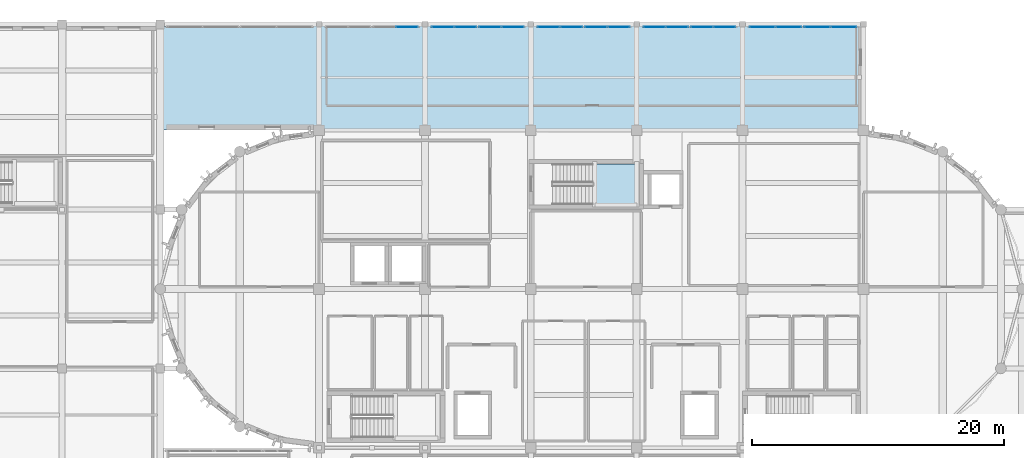
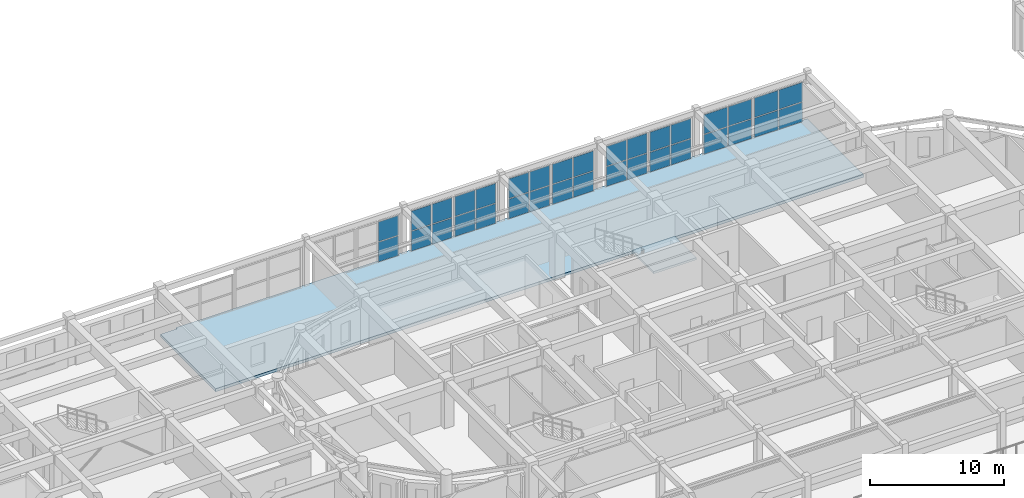
# One storey, part 60 of 92: 34 plates, 2 slabs, 10 elements without a shape of their own.
"""IFC4 building model written with IfcOpenShell, lengths in metres."""

from ifc_helpers import new_model, si_unit, direction, frame, origin, origin_2d, place, context, subcontext, project, spatial, polyline, rectangle, outline, extrude, material, layer, layer_set, type_object, element, aggregate, save


model = new_model("IFC4")

# Units and contexts
model_context = context("Model", 3, precision=1e-05, world=origin(), true_north=direction((0.0, 1.0)))
body_context = subcontext(model_context, "Body", "Model", "MODEL_VIEW")
ifc_project = project(units=[si_unit("LENGTHUNIT", "METRE"), si_unit("AREAUNIT", "SQUARE_METRE"), si_unit("VOLUMEUNIT", "CUBIC_METRE"), si_unit("PLANEANGLEUNIT", "RADIAN"), si_unit("MASSUNIT", "GRAM", prefix="KILO")], contexts=[model_context])

# Site, building, storey
site_placement = place(None, origin())
site = spatial("IfcSite", under=ifc_project, at=site_placement, CompositionType="ELEMENT")
building_placement = place(site_placement, origin())
building = spatial("IfcBuilding", under=site, at=building_placement, Name="Tarnavel Promenade Courthouse", CompositionType="ELEMENT")
storey_placement = place(building_placement, frame((0.0, 0.0, 5.39990234375)))
storey = spatial("IfcBuildingStorey", under=building, at=storey_placement, Name="L02", CompositionType="ELEMENT", Elevation=5.39990234375)

# Stair, slab
ifc_material_1 = material(Name="Concrete C35/45", Category="concrete")
stair_type = type_object("IfcStairType", Name="Concrete C35/45 Half-Turn Stair STR-06 (1520W-290G-24R)", PredefinedType="HALF_TURN_STAIR", material=ifc_material_1)
stair_placement = place(storey_placement, origin())
stair = element("IfcStair", 1, at=stair_placement, inside=storey, type_object=stair_type, Name="L02 Central Judicial Chambers Exit Stair", PredefinedType="HALF_TURN_STAIR")
ifc_layer_1 = layer(ifc_material_1, 0.205078125)
ifc_layer_set_1 = layer_set([ifc_layer_1], Name="Concrete C35/45")
slab_type_1 = type_object("IfcSlabType", Name="Concrete C35/45 Stair Landing SLB-LND-205 (205 mm)", PredefinedType="LANDING", material=ifc_layer_set_1)
slab_1_placement = place(storey_placement, frame((0.0, 0.0, 2.050048828125)))
slab_1 = element("IfcSlab", 2, at=slab_1_placement, type_object=slab_type_1, Name="ST-03 landing 1", PredefinedType="LANDING", context=body_context, shape_type="SweptSolid", body=[
    extrude(outline(polyline([(80.510009765625, 98.5), (84.199951171875, 98.5), (84.199951171875, 101.739990234375), (80.510009765625, 101.739990234375), (80.510009765625, 98.5)])), origin(), (0.0, 0.0, 1.0), 0.199951171875),
])
aggregate(stair, [slab_1])

# Slab
ifc_material_2 = material(Name="Concrete C40/50", Category="concrete")
ifc_layer_2 = layer(ifc_material_2, 0.260009765625)
ifc_layer_set_2 = layer_set([ifc_layer_2], Name="Concrete C40/50")
slab_type_2 = type_object("IfcSlabType", Name="Concrete C40/50 SLB-PT-260 (260 mm)", PredefinedType="FLOOR", material=ifc_layer_set_2)
slab_2_placement = place(storey_placement, frame((0.0, 0.0, -0.260009765625)))
element("IfcSlab", 3, at=slab_2_placement, inside=storey, type_object=slab_type_2, Name="L02 North Civic Entrance Foyer Slab", PredefinedType="FLOOR", context=body_context, shape_type="SweptSolid", body=[
    extrude(outline(polyline([(46.219970703125, 104.419921875), (102.0, 104.419921875), (102.0, 112.800048828125), (47.6201171875, 112.800048828125), (47.6201171875, 112.639892578125), (46.219970703125, 112.639892578125), (46.219970703125, 104.419921875)])), origin(), (0.0, 0.0, 1.0), 0.260009765625),
])

# Curtain wall, plates
ifc_material_3 = material(Name="Thermally Broken Anodised Aluminium Curtain Wall System", Category="aluminium")
ifc_layer_3 = layer(ifc_material_3, 0.199951171875)
ifc_layer_set_3 = layer_set([ifc_layer_3], Name="Thermally Broken Anodised Aluminium Curtain Wall System")
curtain_wall_type = type_object("IfcCurtainWallType", Name="Thermally Broken Aluminium Triple-Glazed Curtain Wall CW-FOYER", PredefinedType="NOTDEFINED", material=ifc_layer_set_3)
curtain_wall_1_placement = place(storey_placement, origin())
curtain_wall_1 = element("IfcCurtainWall", 4, at=curtain_wall_1_placement, inside=storey, type_object=curtain_wall_type, Name="L02 North Foyer Curtain Wall B 129", PredefinedType="NOTDEFINED")
ifc_material_4 = material(Name="Triple Low-E Argon Insulated Glazing", Category="glass")
ifc_layer_4 = layer(ifc_material_4, 0.048095703125)
ifc_layer_set_4 = layer_set([ifc_layer_4], Name="Triple Low-E Argon Insulated Glazing")
plate_type = type_object("IfcPlateType", Name="Triple Low-E Argon Insulated Glazing Unit CWP-48 (48 mm)", PredefinedType="CURTAIN_PANEL", material=ifc_layer_set_4)
plate_1_placement = place(storey_placement, frame((65.780029296875, 112.580078125, 0.0703125), z_axis=(0.0, 0.0, 1.0), x_axis=(1.0, 0.0, 0.0)))
plate_1 = element("IfcPlate", 5, at=plate_1_placement, type_object=plate_type, Name="CW-04 panel 2.1", PredefinedType="CURTAIN_PANEL", context=body_context, shape_type="SweptSolid", body=[
    extrude(rectangle(XDim=1.719970703125, YDim=0.048095703125, at=origin_2d()), origin(), (0.0, 0.0, 1.0), 1.780029296875),
])
plate_2_placement = place(storey_placement, frame((65.780029296875, 112.580078125, 1.919921875), z_axis=(0.0, 0.0, 1.0), x_axis=(1.0, 0.0, 0.0)))
plate_2 = element("IfcPlate", 6, at=plate_2_placement, type_object=plate_type, Name="CW-04 panel 2.2", PredefinedType="CURTAIN_PANEL", context=body_context, shape_type="SweptSolid", body=[
    extrude(rectangle(XDim=1.719970703125, YDim=0.048095703125, at=origin_2d()), origin(), (0.0, 0.0, 1.0), 1.780029296875),
])
aggregate(curtain_wall_1, [plate_1, plate_2])

curtain_wall_2_placement = place(storey_placement, origin())
curtain_wall_2 = element("IfcCurtainWall", 7, at=curtain_wall_2_placement, inside=storey, type_object=curtain_wall_type, Name="L02 North Foyer Curtain Wall A 130", PredefinedType="NOTDEFINED")
plate_3_placement = place(storey_placement, frame((68.6201171875, 112.580078125, 0.0703125), z_axis=(0.0, 0.0, 1.0), x_axis=(1.0, 0.0, 0.0)))
plate_3 = element("IfcPlate", 8, at=plate_3_placement, type_object=plate_type, Name="CW-04 panel 1.1", PredefinedType="CURTAIN_PANEL", context=body_context, shape_type="SweptSolid", body=[
    extrude(rectangle(XDim=1.719970703125, YDim=0.048095703125, at=origin_2d()), origin(), (0.0, 0.0, 1.0), 1.780029296875),
])
plate_4_placement = place(storey_placement, frame((68.6201171875, 112.580078125, 1.919921875), z_axis=(0.0, 0.0, 1.0), x_axis=(1.0, 0.0, 0.0)))
plate_4 = element("IfcPlate", 9, at=plate_4_placement, type_object=plate_type, Name="CW-04 panel 1.2", PredefinedType="CURTAIN_PANEL", context=body_context, shape_type="SweptSolid", body=[
    extrude(rectangle(XDim=1.719970703125, YDim=0.048095703125, at=origin_2d()), origin(), (0.0, 0.0, 1.0), 1.780029296875),
])
plate_5_placement = place(storey_placement, frame((70.419921875, 112.580078125, 0.0703125), z_axis=(0.0, 0.0, 1.0), x_axis=(1.0, 0.0, 0.0)))
plate_5 = element("IfcPlate", 10, at=plate_5_placement, type_object=plate_type, Name="CW-04 panel 2.1", PredefinedType="CURTAIN_PANEL", context=body_context, shape_type="SweptSolid", body=[
    extrude(rectangle(XDim=1.719970703125, YDim=0.048095703125, at=origin_2d()), origin(), (0.0, 0.0, 1.0), 1.780029296875),
])
plate_6_placement = place(storey_placement, frame((70.419921875, 112.580078125, 1.919921875), z_axis=(0.0, 0.0, 1.0), x_axis=(1.0, 0.0, 0.0)))
plate_6 = element("IfcPlate", 11, at=plate_6_placement, type_object=plate_type, Name="CW-04 panel 2.2", PredefinedType="CURTAIN_PANEL", context=body_context, shape_type="SweptSolid", body=[
    extrude(rectangle(XDim=1.719970703125, YDim=0.048095703125, at=origin_2d()), origin(), (0.0, 0.0, 1.0), 1.780029296875),
])
aggregate(curtain_wall_2, [plate_3, plate_4, plate_5, plate_6])

curtain_wall_3_placement = place(storey_placement, origin())
curtain_wall_3 = element("IfcCurtainWall", 12, at=curtain_wall_3_placement, inside=storey, type_object=curtain_wall_type, Name="L02 North Foyer Curtain Wall B 131", PredefinedType="NOTDEFINED")
plate_7_placement = place(storey_placement, frame((72.3798828125, 112.580078125, 0.0703125), z_axis=(0.0, 0.0, 1.0), x_axis=(1.0, 0.0, 0.0)))
plate_7 = element("IfcPlate", 13, at=plate_7_placement, type_object=plate_type, Name="CW-04 panel 1.1", PredefinedType="CURTAIN_PANEL", context=body_context, shape_type="SweptSolid", body=[
    extrude(rectangle(XDim=1.719970703125, YDim=0.048095703125, at=origin_2d()), origin(), (0.0, 0.0, 1.0), 1.780029296875),
])
plate_8_placement = place(storey_placement, frame((72.3798828125, 112.580078125, 1.919921875), z_axis=(0.0, 0.0, 1.0), x_axis=(1.0, 0.0, 0.0)))
plate_8 = element("IfcPlate", 14, at=plate_8_placement, type_object=plate_type, Name="CW-04 panel 1.2", PredefinedType="CURTAIN_PANEL", context=body_context, shape_type="SweptSolid", body=[
    extrude(rectangle(XDim=1.719970703125, YDim=0.048095703125, at=origin_2d()), origin(), (0.0, 0.0, 1.0), 1.780029296875),
])
plate_9_placement = place(storey_placement, frame((74.179931640625, 112.580078125, 0.0703125), z_axis=(0.0, 0.0, 1.0), x_axis=(1.0, 0.0, 0.0)))
plate_9 = element("IfcPlate", 15, at=plate_9_placement, type_object=plate_type, Name="CW-04 panel 2.1", PredefinedType="CURTAIN_PANEL", context=body_context, shape_type="SweptSolid", body=[
    extrude(rectangle(XDim=1.719970703125, YDim=0.048095703125, at=origin_2d()), origin(), (0.0, 0.0, 1.0), 1.780029296875),
])
plate_10_placement = place(storey_placement, frame((74.179931640625, 112.580078125, 1.919921875), z_axis=(0.0, 0.0, 1.0), x_axis=(1.0, 0.0, 0.0)))
plate_10 = element("IfcPlate", 16, at=plate_10_placement, type_object=plate_type, Name="CW-04 panel 2.2", PredefinedType="CURTAIN_PANEL", context=body_context, shape_type="SweptSolid", body=[
    extrude(rectangle(XDim=1.719970703125, YDim=0.048095703125, at=origin_2d()), origin(), (0.0, 0.0, 1.0), 1.780029296875),
])
aggregate(curtain_wall_3, [plate_7, plate_8, plate_9, plate_10])

curtain_wall_4_placement = place(storey_placement, origin())
curtain_wall_4 = element("IfcCurtainWall", 17, at=curtain_wall_4_placement, inside=storey, type_object=curtain_wall_type, Name="L02 North Foyer Curtain Wall A 132", PredefinedType="NOTDEFINED")
plate_11_placement = place(storey_placement, frame((77.02001953125, 112.580078125, 0.0703125), z_axis=(0.0, 0.0, 1.0), x_axis=(1.0, 0.0, 0.0)))
plate_11 = element("IfcPlate", 18, at=plate_11_placement, type_object=plate_type, Name="CW-04 panel 1.1", PredefinedType="CURTAIN_PANEL", context=body_context, shape_type="SweptSolid", body=[
    extrude(rectangle(XDim=1.719970703125, YDim=0.048095703125, at=origin_2d()), origin(), (0.0, 0.0, 1.0), 1.780029296875),
])
plate_12_placement = place(storey_placement, frame((77.02001953125, 112.580078125, 1.919921875), z_axis=(0.0, 0.0, 1.0), x_axis=(1.0, 0.0, 0.0)))
plate_12 = element("IfcPlate", 19, at=plate_12_placement, type_object=plate_type, Name="CW-04 panel 1.2", PredefinedType="CURTAIN_PANEL", context=body_context, shape_type="SweptSolid", body=[
    extrude(rectangle(XDim=1.719970703125, YDim=0.048095703125, at=origin_2d()), origin(), (0.0, 0.0, 1.0), 1.780029296875),
])
plate_13_placement = place(storey_placement, frame((78.820068359375, 112.580078125, 0.0703125), z_axis=(0.0, 0.0, 1.0), x_axis=(1.0, 0.0, 0.0)))
plate_13 = element("IfcPlate", 20, at=plate_13_placement, type_object=plate_type, Name="CW-04 panel 2.1", PredefinedType="CURTAIN_PANEL", context=body_context, shape_type="SweptSolid", body=[
    extrude(rectangle(XDim=1.719970703125, YDim=0.048095703125, at=origin_2d()), origin(), (0.0, 0.0, 1.0), 1.780029296875),
])
plate_14_placement = place(storey_placement, frame((78.820068359375, 112.580078125, 1.919921875), z_axis=(0.0, 0.0, 1.0), x_axis=(1.0, 0.0, 0.0)))
plate_14 = element("IfcPlate", 21, at=plate_14_placement, type_object=plate_type, Name="CW-04 panel 2.2", PredefinedType="CURTAIN_PANEL", context=body_context, shape_type="SweptSolid", body=[
    extrude(rectangle(XDim=1.719970703125, YDim=0.048095703125, at=origin_2d()), origin(), (0.0, 0.0, 1.0), 1.780029296875),
])
aggregate(curtain_wall_4, [plate_11, plate_12, plate_13, plate_14])

curtain_wall_5_placement = place(storey_placement, origin())
curtain_wall_5 = element("IfcCurtainWall", 22, at=curtain_wall_5_placement, inside=storey, type_object=curtain_wall_type, Name="L02 North Foyer Curtain Wall B 133", PredefinedType="NOTDEFINED")
plate_15_placement = place(storey_placement, frame((80.780029296875, 112.580078125, 0.0703125), z_axis=(0.0, 0.0, 1.0), x_axis=(1.0, 0.0, 0.0)))
plate_15 = element("IfcPlate", 23, at=plate_15_placement, type_object=plate_type, Name="CW-04 panel 1.1", PredefinedType="CURTAIN_PANEL", context=body_context, shape_type="SweptSolid", body=[
    extrude(rectangle(XDim=1.719970703125, YDim=0.048095703125, at=origin_2d()), origin(), (0.0, 0.0, 1.0), 1.780029296875),
])
plate_16_placement = place(storey_placement, frame((80.780029296875, 112.580078125, 1.919921875), z_axis=(0.0, 0.0, 1.0), x_axis=(1.0, 0.0, 0.0)))
plate_16 = element("IfcPlate", 24, at=plate_16_placement, type_object=plate_type, Name="CW-04 panel 1.2", PredefinedType="CURTAIN_PANEL", context=body_context, shape_type="SweptSolid", body=[
    extrude(rectangle(XDim=1.719970703125, YDim=0.048095703125, at=origin_2d()), origin(), (0.0, 0.0, 1.0), 1.780029296875),
])
plate_17_placement = place(storey_placement, frame((82.580078125, 112.580078125, 0.0703125), z_axis=(0.0, 0.0, 1.0), x_axis=(1.0, 0.0, 0.0)))
plate_17 = element("IfcPlate", 25, at=plate_17_placement, type_object=plate_type, Name="CW-04 panel 2.1", PredefinedType="CURTAIN_PANEL", context=body_context, shape_type="SweptSolid", body=[
    extrude(rectangle(XDim=1.719970703125, YDim=0.048095703125, at=origin_2d()), origin(), (0.0, 0.0, 1.0), 1.780029296875),
])
plate_18_placement = place(storey_placement, frame((82.580078125, 112.580078125, 1.919921875), z_axis=(0.0, 0.0, 1.0), x_axis=(1.0, 0.0, 0.0)))
plate_18 = element("IfcPlate", 26, at=plate_18_placement, type_object=plate_type, Name="CW-04 panel 2.2", PredefinedType="CURTAIN_PANEL", context=body_context, shape_type="SweptSolid", body=[
    extrude(rectangle(XDim=1.719970703125, YDim=0.048095703125, at=origin_2d()), origin(), (0.0, 0.0, 1.0), 1.780029296875),
])
aggregate(curtain_wall_5, [plate_15, plate_16, plate_17, plate_18])

curtain_wall_6_placement = place(storey_placement, origin())
curtain_wall_6 = element("IfcCurtainWall", 27, at=curtain_wall_6_placement, inside=storey, type_object=curtain_wall_type, Name="L02 North Foyer Curtain Wall A 134", PredefinedType="NOTDEFINED")
plate_19_placement = place(storey_placement, frame((85.419921875, 112.580078125, 0.0703125), z_axis=(0.0, 0.0, 1.0), x_axis=(1.0, 0.0, 0.0)))
plate_19 = element("IfcPlate", 28, at=plate_19_placement, type_object=plate_type, Name="CW-04 panel 1.1", PredefinedType="CURTAIN_PANEL", context=body_context, shape_type="SweptSolid", body=[
    extrude(rectangle(XDim=1.719970703125, YDim=0.048095703125, at=origin_2d()), origin(), (0.0, 0.0, 1.0), 1.780029296875),
])
plate_20_placement = place(storey_placement, frame((85.419921875, 112.580078125, 1.919921875), z_axis=(0.0, 0.0, 1.0), x_axis=(1.0, 0.0, 0.0)))
plate_20 = element("IfcPlate", 29, at=plate_20_placement, type_object=plate_type, Name="CW-04 panel 1.2", PredefinedType="CURTAIN_PANEL", context=body_context, shape_type="SweptSolid", body=[
    extrude(rectangle(XDim=1.719970703125, YDim=0.048095703125, at=origin_2d()), origin(), (0.0, 0.0, 1.0), 1.780029296875),
])
plate_21_placement = place(storey_placement, frame((87.219970703125, 112.580078125, 0.0703125), z_axis=(0.0, 0.0, 1.0), x_axis=(1.0, 0.0, 0.0)))
plate_21 = element("IfcPlate", 30, at=plate_21_placement, type_object=plate_type, Name="CW-04 panel 2.1", PredefinedType="CURTAIN_PANEL", context=body_context, shape_type="SweptSolid", body=[
    extrude(rectangle(XDim=1.719970703125, YDim=0.048095703125, at=origin_2d()), origin(), (0.0, 0.0, 1.0), 1.780029296875),
])
plate_22_placement = place(storey_placement, frame((87.219970703125, 112.580078125, 1.919921875), z_axis=(0.0, 0.0, 1.0), x_axis=(1.0, 0.0, 0.0)))
plate_22 = element("IfcPlate", 31, at=plate_22_placement, type_object=plate_type, Name="CW-04 panel 2.2", PredefinedType="CURTAIN_PANEL", context=body_context, shape_type="SweptSolid", body=[
    extrude(rectangle(XDim=1.719970703125, YDim=0.048095703125, at=origin_2d()), origin(), (0.0, 0.0, 1.0), 1.780029296875),
])
aggregate(curtain_wall_6, [plate_19, plate_20, plate_21, plate_22])

curtain_wall_7_placement = place(storey_placement, origin())
curtain_wall_7 = element("IfcCurtainWall", 32, at=curtain_wall_7_placement, inside=storey, type_object=curtain_wall_type, Name="L02 North Foyer Curtain Wall B 135", PredefinedType="NOTDEFINED")
plate_23_placement = place(storey_placement, frame((89.179931640625, 112.580078125, 0.0703125), z_axis=(0.0, 0.0, 1.0), x_axis=(1.0, 0.0, 0.0)))
plate_23 = element("IfcPlate", 33, at=plate_23_placement, type_object=plate_type, Name="CW-04 panel 1.1", PredefinedType="CURTAIN_PANEL", context=body_context, shape_type="SweptSolid", body=[
    extrude(rectangle(XDim=1.719970703125, YDim=0.048095703125, at=origin_2d()), origin(), (0.0, 0.0, 1.0), 1.780029296875),
])
plate_24_placement = place(storey_placement, frame((89.179931640625, 112.580078125, 1.919921875), z_axis=(0.0, 0.0, 1.0), x_axis=(1.0, 0.0, 0.0)))
plate_24 = element("IfcPlate", 34, at=plate_24_placement, type_object=plate_type, Name="CW-04 panel 1.2", PredefinedType="CURTAIN_PANEL", context=body_context, shape_type="SweptSolid", body=[
    extrude(rectangle(XDim=1.719970703125, YDim=0.048095703125, at=origin_2d()), origin(), (0.0, 0.0, 1.0), 1.780029296875),
])
plate_25_placement = place(storey_placement, frame((90.97998046875, 112.580078125, 0.0703125), z_axis=(0.0, 0.0, 1.0), x_axis=(1.0, 0.0, 0.0)))
plate_25 = element("IfcPlate", 35, at=plate_25_placement, type_object=plate_type, Name="CW-04 panel 2.1", PredefinedType="CURTAIN_PANEL", context=body_context, shape_type="SweptSolid", body=[
    extrude(rectangle(XDim=1.719970703125, YDim=0.048095703125, at=origin_2d()), origin(), (0.0, 0.0, 1.0), 1.780029296875),
])
plate_26_placement = place(storey_placement, frame((90.97998046875, 112.580078125, 1.919921875), z_axis=(0.0, 0.0, 1.0), x_axis=(1.0, 0.0, 0.0)))
plate_26 = element("IfcPlate", 36, at=plate_26_placement, type_object=plate_type, Name="CW-04 panel 2.2", PredefinedType="CURTAIN_PANEL", context=body_context, shape_type="SweptSolid", body=[
    extrude(rectangle(XDim=1.719970703125, YDim=0.048095703125, at=origin_2d()), origin(), (0.0, 0.0, 1.0), 1.780029296875),
])
aggregate(curtain_wall_7, [plate_23, plate_24, plate_25, plate_26])

curtain_wall_8_placement = place(storey_placement, origin())
curtain_wall_8 = element("IfcCurtainWall", 37, at=curtain_wall_8_placement, inside=storey, type_object=curtain_wall_type, Name="L02 North Foyer Curtain Wall A 136", PredefinedType="NOTDEFINED")
plate_27_placement = place(storey_placement, frame((93.969970703125, 112.580078125, 0.070068359375), z_axis=(0.0, 0.0, 1.0), x_axis=(1.0, 0.0, 0.0)))
plate_27 = element("IfcPlate", 38, at=plate_27_placement, type_object=plate_type, Name="CW-04 panel 1.1", PredefinedType="CURTAIN_PANEL", context=body_context, shape_type="SweptSolid", body=[
    extrude(rectangle(XDim=2.02001953125, YDim=0.048095703125, at=origin_2d()), origin(), (0.0, 0.0, 1.0), 1.7548828125),
])
plate_28_placement = place(storey_placement, frame((93.969970703125, 112.580078125, 1.895263671875), z_axis=(0.0, 0.0, 1.0), x_axis=(1.0, 0.0, 0.0)))
plate_28 = element("IfcPlate", 39, at=plate_28_placement, type_object=plate_type, Name="CW-04 panel 1.2", PredefinedType="CURTAIN_PANEL", context=body_context, shape_type="SweptSolid", body=[
    extrude(rectangle(XDim=2.02001953125, YDim=0.048095703125, at=origin_2d()), origin(), (0.0, 0.0, 1.0), 1.7548828125),
])
plate_29_placement = place(storey_placement, frame((96.070068359375, 112.580078125, 0.070068359375), z_axis=(0.0, 0.0, 1.0), x_axis=(1.0, 0.0, 0.0)))
plate_29 = element("IfcPlate", 40, at=plate_29_placement, type_object=plate_type, Name="CW-04 panel 2.1", PredefinedType="CURTAIN_PANEL", context=body_context, shape_type="SweptSolid", body=[
    extrude(rectangle(XDim=2.02001953125, YDim=0.048095703125, at=origin_2d()), origin(), (0.0, 0.0, 1.0), 1.7548828125),
])
plate_30_placement = place(storey_placement, frame((96.070068359375, 112.580078125, 1.895263671875), z_axis=(0.0, 0.0, 1.0), x_axis=(1.0, 0.0, 0.0)))
plate_30 = element("IfcPlate", 41, at=plate_30_placement, type_object=plate_type, Name="CW-04 panel 2.2", PredefinedType="CURTAIN_PANEL", context=body_context, shape_type="SweptSolid", body=[
    extrude(rectangle(XDim=2.02001953125, YDim=0.048095703125, at=origin_2d()), origin(), (0.0, 0.0, 1.0), 1.7548828125),
])
aggregate(curtain_wall_8, [plate_27, plate_28, plate_29, plate_30])

curtain_wall_9_placement = place(storey_placement, origin())
curtain_wall_9 = element("IfcCurtainWall", 42, at=curtain_wall_9_placement, inside=storey, type_object=curtain_wall_type, Name="L02 North Foyer Curtain Wall B 137", PredefinedType="NOTDEFINED")
plate_31_placement = place(storey_placement, frame((98.330078125, 112.580078125, 0.070068359375), z_axis=(0.0, 0.0, 1.0), x_axis=(1.0, 0.0, 0.0)))
plate_31 = element("IfcPlate", 43, at=plate_31_placement, type_object=plate_type, Name="CW-04 panel 1.1", PredefinedType="CURTAIN_PANEL", context=body_context, shape_type="SweptSolid", body=[
    extrude(rectangle(XDim=2.02001953125, YDim=0.048095703125, at=origin_2d()), origin(), (0.0, 0.0, 1.0), 1.7548828125),
])
plate_32_placement = place(storey_placement, frame((98.330078125, 112.580078125, 1.895263671875), z_axis=(0.0, 0.0, 1.0), x_axis=(1.0, 0.0, 0.0)))
plate_32 = element("IfcPlate", 44, at=plate_32_placement, type_object=plate_type, Name="CW-04 panel 1.2", PredefinedType="CURTAIN_PANEL", context=body_context, shape_type="SweptSolid", body=[
    extrude(rectangle(XDim=2.02001953125, YDim=0.048095703125, at=origin_2d()), origin(), (0.0, 0.0, 1.0), 1.7548828125),
])
plate_33_placement = place(storey_placement, frame((100.429931640625, 112.580078125, 0.070068359375), z_axis=(0.0, 0.0, 1.0), x_axis=(1.0, 0.0, 0.0)))
plate_33 = element("IfcPlate", 45, at=plate_33_placement, type_object=plate_type, Name="CW-04 panel 2.1", PredefinedType="CURTAIN_PANEL", context=body_context, shape_type="SweptSolid", body=[
    extrude(rectangle(XDim=2.02001953125, YDim=0.048095703125, at=origin_2d()), origin(), (0.0, 0.0, 1.0), 1.7548828125),
])
plate_34_placement = place(storey_placement, frame((100.429931640625, 112.580078125, 1.895263671875), z_axis=(0.0, 0.0, 1.0), x_axis=(1.0, 0.0, 0.0)))
plate_34 = element("IfcPlate", 46, at=plate_34_placement, type_object=plate_type, Name="CW-04 panel 2.2", PredefinedType="CURTAIN_PANEL", context=body_context, shape_type="SweptSolid", body=[
    extrude(rectangle(XDim=2.02001953125, YDim=0.048095703125, at=origin_2d()), origin(), (0.0, 0.0, 1.0), 1.7548828125),
])
aggregate(curtain_wall_9, [plate_31, plate_32, plate_33, plate_34])

save(model, "model.ifc")
